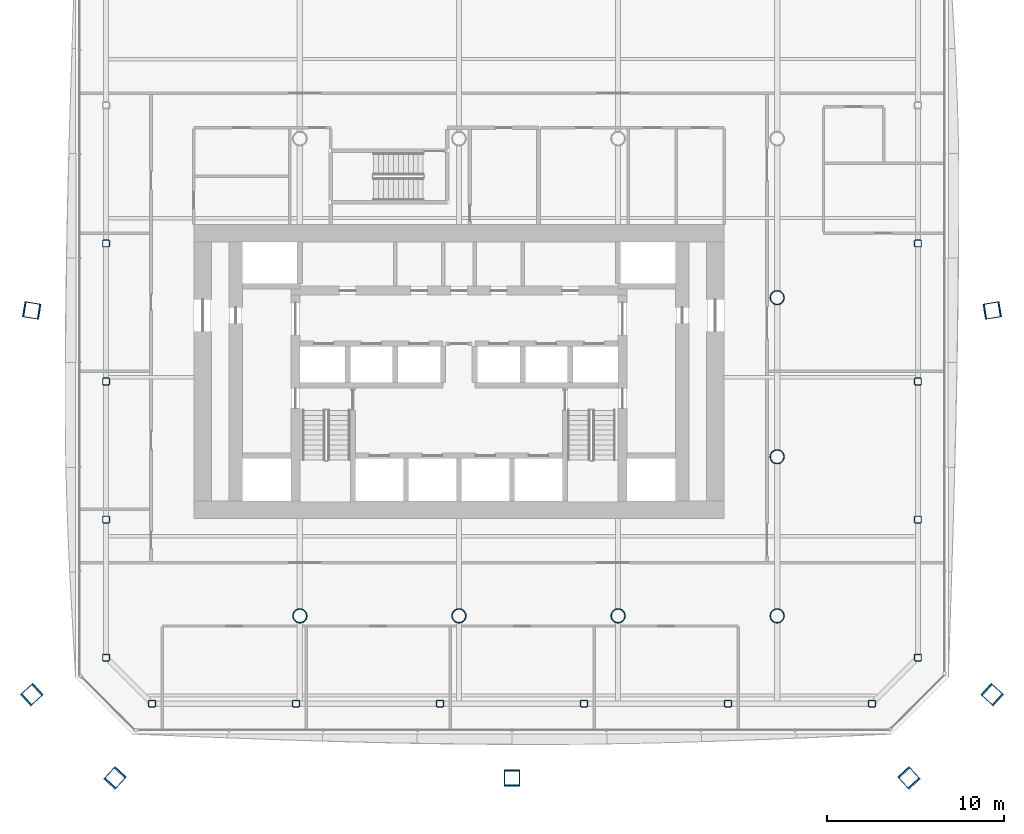
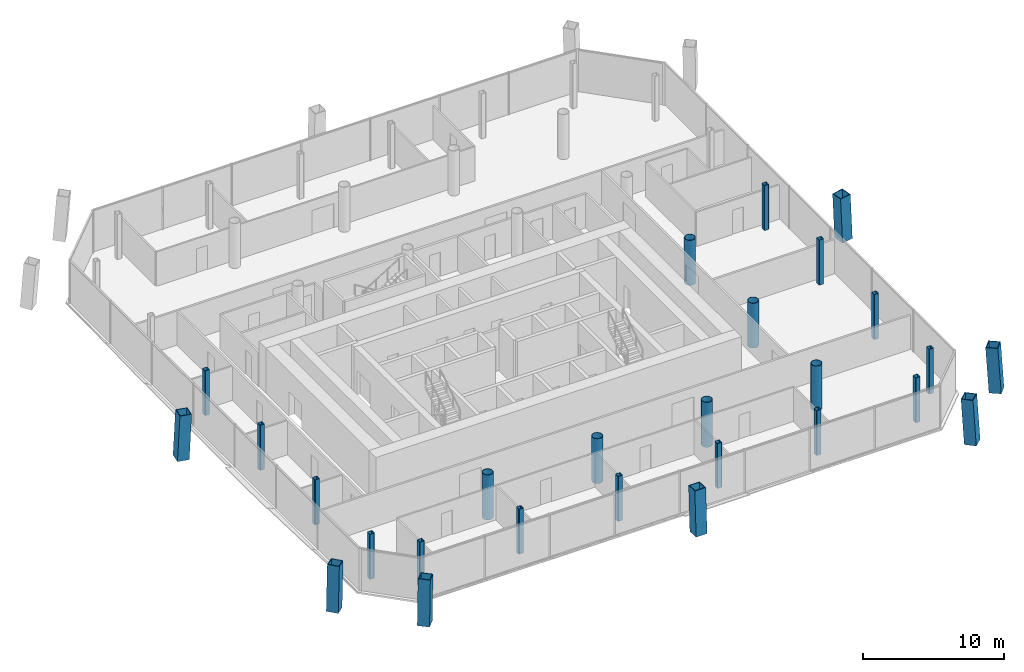
# One storey, part 1 of 19: 27 columns.
"""IFC4 building model written with IfcOpenShell, lengths in metres."""

from ifc_helpers import new_model, si_unit, direction, frame, origin, origin_2d, place, context, subcontext, project, spatial, hollow_rectangle, hollow_circle, extrude, material, material_profile, profile_set, type_object, element, save


model = new_model("IFC4")

# Units and contexts
model_context = context("Model", 3, precision=1e-05, world=origin(), true_north=direction((0.0, 1.0)))
body_context = subcontext(model_context, "Body", "Model", "MODEL_VIEW")
ifc_project = project(units=[si_unit("LENGTHUNIT", "METRE"), si_unit("AREAUNIT", "SQUARE_METRE"), si_unit("VOLUMEUNIT", "CUBIC_METRE"), si_unit("PLANEANGLEUNIT", "RADIAN"), si_unit("MASSUNIT", "GRAM", prefix="KILO")], contexts=[model_context])

# Site, building, storey
site_placement = place(None, origin())
site = spatial("IfcSite", under=ifc_project, at=site_placement, CompositionType="ELEMENT")
building_placement = place(site_placement, origin())
building = spatial("IfcBuilding", under=site, at=building_placement, Name="Tskaro Facet Tower", CompositionType="ELEMENT")
storey_placement = place(building_placement, frame((0.0, 0.0, 93.300048828125)))
storey = spatial("IfcBuildingStorey", under=building, at=storey_placement, Name="L22", CompositionType="ELEMENT", Elevation=93.300048828125)

# Columns
ifc_material_1 = material(Name="Steel S460M", Category="steel")
ifc_material_profile_1 = material_profile(ifc_material_1, hollow_rectangle(XDim=0.89990234375, YDim=0.89990234375, WallThickness=0.054931640625, at=origin_2d()), Name="BOX 900x900x55")
ifc_profile_set_1 = profile_set([ifc_material_profile_1], Name="Steel S460M")
column_type_1 = type_object("IfcColumnType", Name="BOX 900x900x55 mega column", PredefinedType="COLUMN", material=ifc_profile_set_1)
column_1_placement = place(storey_placement, frame((-19.48193359375, -27.197998046875, 0.0), z_axis=(0.042733391289, 0.046856788695, 0.997987123475), x_axis=(-0.738869281565, 0.673848784787, 0.0)))
element("IfcColumn", 1, at=column_1_placement, inside=storey, type_object=column_type_1, Name="BOX 900x900x55 MC01/2", PredefinedType="COLUMN", context=body_context, shape_type="SweptSolid", body=[
    extrude(hollow_rectangle(XDim=0.89990234375, YDim=0.89990234375, WallThickness=0.054931640625, at=origin_2d()), origin(), (0.0, 0.0, 1.0), 3.90771484375),
])
column_2_placement = place(storey_placement, frame((3.0, -27.197998046875, 0.0), z_axis=(0.0, 0.046899630973, 0.998899606875), x_axis=(-1.0, 0.0, 0.0)))
element("IfcColumn", 2, at=column_2_placement, inside=storey, type_object=column_type_1, Name="BOX 900x900x55 MC02/2", PredefinedType="COLUMN", context=body_context, shape_type="SweptSolid", body=[
    extrude(hollow_rectangle(XDim=0.89990234375, YDim=0.89990234375, WallThickness=0.054931640625, at=origin_2d()), origin(), (0.0, 0.0, 1.0), 3.904296875),
])
for number, where, z_axis, x_axis, name in (
    (3, (25.48193359375, -27.197998046875, 0.0), (-0.042733391289, 0.046856788695, 0.997987123475), (-0.738869281565, -0.673848784787, 0.0), "BOX 900x900x55 MC03/2"),
    (4, (30.197998046875, -22.48193359375, 0.0), (-0.046856788695, 0.042733391289, 0.997987123475), (-0.673848784787, -0.738869281565, 0.0), "BOX 900x900x55 MC04/2"),
):
    element("IfcColumn", number, at=place(storey_placement, frame(where, z_axis=z_axis, x_axis=x_axis)), inside=storey, type_object=column_type_1, Name=name, PredefinedType="COLUMN", context=body_context, shape_type="SweptSolid", body=[
        extrude(hollow_rectangle(XDim=0.89990234375, YDim=0.89990234375, WallThickness=0.054931640625, at=origin_2d()), origin(), (0.0, 0.0, 1.0), 3.90771484375),
    ])
for number, where, z_axis, x_axis, name in (
    (5, (30.197998046875, -0.717041015625, 0.0), (-0.046898243748, -0.007691311975, 0.998870060845), (0.161838042552, -0.986817332632, 0.0), "BOX 900x900x55 MC05/2"),
    (6, (-24.197998046875, -0.717041015625, 0.0), (0.046898243748, -0.007691311975, 0.998870060845), (0.161838042552, 0.986817332632, 0.0), "BOX 900x900x55 MC11/2"),
):
    element("IfcColumn", number, at=place(storey_placement, frame(where, z_axis=z_axis, x_axis=x_axis)), inside=storey, type_object=column_type_1, Name=name, PredefinedType="COLUMN", context=body_context, shape_type="SweptSolid", body=[
        extrude(hollow_rectangle(XDim=0.89990234375, YDim=0.89990234375, WallThickness=0.054931640625, at=origin_2d()), origin(), (0.0, 0.0, 1.0), 3.904296875),
    ])
column_3_placement = place(storey_placement, frame((-24.197998046875, -22.48193359375, 0.0), z_axis=(0.046856788695, 0.042733391289, 0.997987123475), x_axis=(-0.673848784787, 0.738869281565, 0.0)))
element("IfcColumn", 7, at=column_3_placement, inside=storey, type_object=column_type_1, Name="BOX 900x900x55 MC12/2", PredefinedType="COLUMN", context=body_context, shape_type="SweptSolid", body=[
    extrude(hollow_rectangle(XDim=0.89990234375, YDim=0.89990234375, WallThickness=0.054931640625, at=origin_2d()), origin(), (0.0, 0.0, 1.0), 3.90771484375),
])
ifc_material_2 = material(Name="Steel S355J2H", Category="steel")
ifc_material_profile_2 = material_profile(ifc_material_2, hollow_circle(Radius=0.406494140625, WallThickness=0.035888671875, at=origin_2d()), Name="CHS 812.8x36")
ifc_profile_set_2 = profile_set([ifc_material_profile_2], Name="Steel S355J2H")
column_type_2 = type_object("IfcColumnType", Name="CHS 812.8x36 interior column", PredefinedType="COLUMN", material=ifc_profile_set_2)
for number, where, z_axis, x_axis, name in (
    (8, (-9.0, -18.0, 0.0), (0.0, 0.0, 1.0), (1.0, 0.0, 0.0), "CHS 812.8x36 C3B/2"),
    (9, (0.0, -18.0, 0.0), (0.0, 0.0, 1.0), (1.0, 0.0, 0.0), "CHS 812.8x36 C4B/2"),
    (10, (9.0, -18.0, 0.0), (0.0, 0.0, 1.0), (1.0, 0.0, 0.0), "CHS 812.8x36 C5B/2"),
    (11, (18.0, -18.0, 0.0), (0.0, 0.0, 1.0), (1.0, 0.0, 0.0), "CHS 812.8x36 C6B/2"),
    (12, (18.0, -9.0, 0.0), (0.0, 0.0, 1.0), (1.0, 0.0, 0.0), "CHS 812.8x36 C6C/2"),
    (13, (18.0, 0.0, 0.0), (0.0, 0.0, 1.0), (1.0, 0.0, 0.0), "CHS 812.8x36 C6D/2"),
):
    element("IfcColumn", number, at=place(storey_placement, frame(where, z_axis=z_axis, x_axis=x_axis)), inside=storey, type_object=column_type_2, Name=name, PredefinedType="COLUMN", context=body_context, shape_type="SweptSolid", body=[
        extrude(hollow_circle(Radius=0.406494140625, WallThickness=0.035888671875, at=origin_2d()), origin(), (0.0, 0.0, 1.0), 3.89990234375),
    ])
ifc_material_profile_3 = material_profile(ifc_material_2, hollow_rectangle(XDim=0.39990234375, YDim=0.39990234375, WallThickness=0.02490234375, InnerFilletRadius=0.03759765625, OuterFilletRadius=0.0625, at=origin_2d()), Name="SHS 400x400x25")
ifc_profile_set_3 = profile_set([ifc_material_profile_3], Name="Steel S355J2H")
column_type_3 = type_object("IfcColumnType", Name="SHS 400x400x25 ring column", PredefinedType="COLUMN", material=ifc_profile_set_3)
for number, where, z_axis, x_axis, name in (
    (14, (-17.364013671875, -22.965087890625, 0.0), (0.0, 0.0, 1.0), (1.0, 0.0, 0.0), "SHS 400x400x25 RS-1/2"),
    (15, (-9.218017578125, -22.965087890625, 0.0), (0.0, 0.0, 1.0), (1.0, 0.0, 0.0), "SHS 400x400x25 RS-2/2"),
    (16, (-1.072998046875, -22.965087890625, 0.0), (0.0, 0.0, 1.0), (1.0, 0.0, 0.0), "SHS 400x400x25 RS-3/2"),
    (17, (7.072998046875, -22.965087890625, 0.0), (0.0, 0.0, 1.0), (1.0, 0.0, 0.0), "SHS 400x400x25 RS-4/2"),
    (18, (15.218017578125, -22.965087890625, 0.0), (0.0, 0.0, 1.0), (1.0, 0.0, 0.0), "SHS 400x400x25 RS-5/2"),
    (19, (23.364013671875, -22.965087890625, 0.0), (0.0, 0.0, 1.0), (1.0, 0.0, 0.0), "SHS 400x400x25 RSE-1/2"),
    (20, (25.965087890625, -20.364013671875, 0.0), (0.0, 0.0, 1.0), (1.0, 0.0, 0.0), "SHS 400x400x25 RE-1/2"),
    (21, (25.965087890625, -12.552978515625, 0.0), (0.0, 0.0, 1.0), (1.0, 0.0, 0.0), "SHS 400x400x25 RE-2/2"),
    (22, (25.965087890625, -4.741943359375, 0.0), (0.0, 0.0, 1.0), (1.0, 0.0, 0.0), "SHS 400x400x25 RE-3/2"),
    (23, (25.965087890625, 3.068115234375, 0.0), (0.0, 0.0, 1.0), (1.0, 0.0, 0.0), "SHS 400x400x25 RE-4/2"),
    (24, (-19.965087890625, 3.068115234375, 0.0), (0.0, 0.0, 1.0), (1.0, 0.0, 0.0), "SHS 400x400x25 RW-3/2"),
    (25, (-19.965087890625, -4.741943359375, 0.0), (0.0, 0.0, 1.0), (1.0, 0.0, 0.0), "SHS 400x400x25 RW-4/2"),
    (26, (-19.965087890625, -12.552978515625, 0.0), (0.0, 0.0, 1.0), (1.0, 0.0, 0.0), "SHS 400x400x25 RW-5/2"),
    (27, (-19.965087890625, -20.364013671875, 0.0), (0.0, 0.0, 1.0), (1.0, 0.0, 0.0), "SHS 400x400x25 RSW-1/2"),
):
    element("IfcColumn", number, at=place(storey_placement, frame(where, z_axis=z_axis, x_axis=x_axis)), inside=storey, type_object=column_type_3, Name=name, PredefinedType="COLUMN", context=body_context, shape_type="SweptSolid", body=[
        extrude(hollow_rectangle(XDim=0.39990234375, YDim=0.39990234375, WallThickness=0.02490234375, InnerFilletRadius=0.03759765625, OuterFilletRadius=0.0625, at=origin_2d()), origin(), (0.0, 0.0, 1.0), 3.89990234375),
    ])

save(model, "model.ifc")
